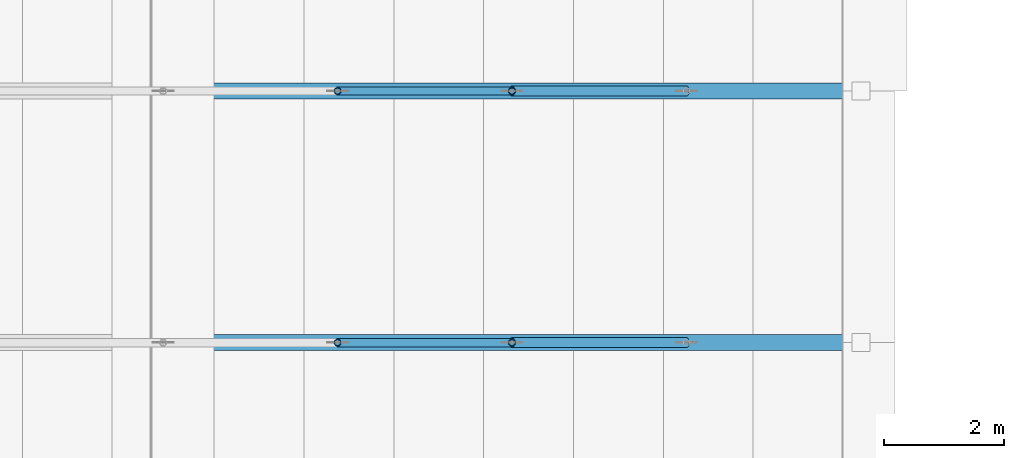
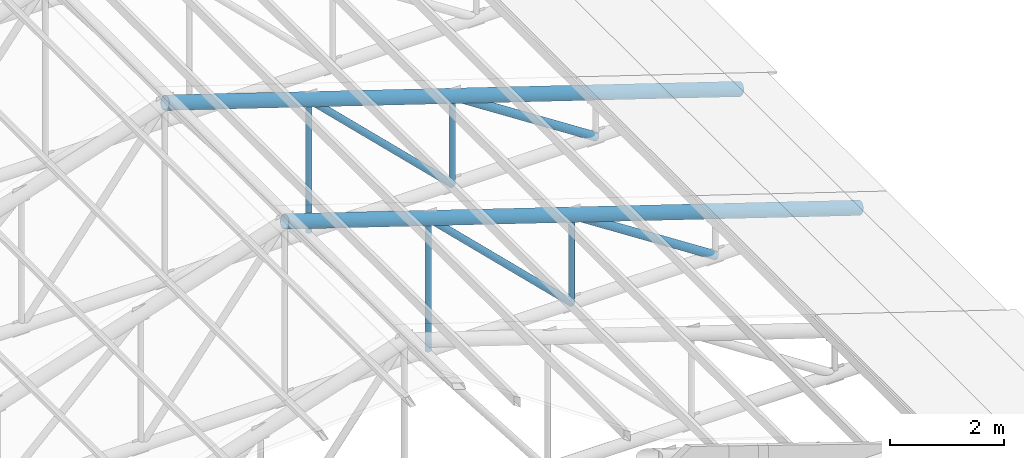
# One storey, part 29 of 95: 10 members.
"""IFC4 building model written with IfcOpenShell, lengths in metres."""

from ifc_helpers import new_model, si_unit, direction, frame, origin, origin_2d, place, context, subcontext, project, spatial, hollow_circle, extrude, material, material_profile, profile_set, type_object, element, save


model = new_model("IFC4")

# Units and contexts
model_context = context("Model", 3, precision=1e-05, world=origin(), true_north=direction((0.0, 1.0)))
body_context = subcontext(model_context, "Body", "Model", "MODEL_VIEW")
ifc_project = project(units=[si_unit("LENGTHUNIT", "METRE"), si_unit("AREAUNIT", "SQUARE_METRE"), si_unit("VOLUMEUNIT", "CUBIC_METRE"), si_unit("PLANEANGLEUNIT", "RADIAN"), si_unit("MASSUNIT", "GRAM", prefix="KILO")], contexts=[model_context])

# Site, building, storey
site_placement = place(None, origin())
site = spatial("IfcSite", under=ifc_project, at=site_placement, CompositionType="ELEMENT")
building_placement = place(site_placement, origin())
building = spatial("IfcBuilding", under=site, at=building_placement, Name="Kiln Court Media Centre", CompositionType="ELEMENT")
storey_placement = place(building_placement, frame((0.0, 0.0, 24.60009765625)))
storey = spatial("IfcBuildingStorey", under=building, at=storey_placement, Name="L05", CompositionType="ELEMENT", Elevation=24.60009765625)

# Members
ifc_material_1 = material(Name="Steel ASTM A500 Gr C", Category="steel")
ifc_material_profile_1 = material_profile(ifc_material_1, hollow_circle(Radius=0.05712890625, WallThickness=0.0048828125, at=origin_2d()), Name="CHS 114.3x5.0")
ifc_profile_set_1 = profile_set([ifc_material_profile_1], Name="Steel ASTM A500 Gr C")
member_type_1 = type_object("IfcMemberType", Name="Steel ASTM A500 Gr C CHS 114.3x5.0 truss web", PredefinedType="BRACE", material=ifc_profile_set_1)
member_1_placement = place(storey_placement, frame((49.3125, 33.60009765625, -0.013916015625), z_axis=(0.0, 0.0, 1.0), x_axis=(1.0, 0.0, 0.0)))
element("IfcMember", 1, at=member_1_placement, inside=storey, type_object=member_type_1, Name="foyer truss FT-03 post 5 truss web", PredefinedType="BRACE", context=body_context, shape_type="SweptSolid", body=[
    extrude(hollow_circle(Radius=0.05712890625, WallThickness=0.0048828125, at=origin_2d()), origin(), (0.0, 0.0, 1.0), 2.839111328125),
])
member_2_placement = place(storey_placement, frame((52.22509765625, 33.60009765625, -0.013916015625), z_axis=(0.0, 0.0, 1.0), x_axis=(1.0, 0.0, 0.0)))
element("IfcMember", 2, at=member_2_placement, inside=storey, type_object=member_type_1, Name="foyer truss FT-03 post 6 truss web", PredefinedType="BRACE", context=body_context, shape_type="SweptSolid", body=[
    extrude(hollow_circle(Radius=0.05712890625, WallThickness=0.0048828125, at=origin_2d()), origin(), (0.0, 0.0, 1.0), 1.892822265625),
])
member_3_placement = place(storey_placement, frame((49.3125, 37.800048828125, -0.013916015625), z_axis=(0.0, 0.0, 1.0), x_axis=(1.0, 0.0, 0.0)))
element("IfcMember", 3, at=member_3_placement, inside=storey, type_object=member_type_1, Name="foyer truss FT-04 post 5 truss web", PredefinedType="BRACE", context=body_context, shape_type="SweptSolid", body=[
    extrude(hollow_circle(Radius=0.05712890625, WallThickness=0.0048828125, at=origin_2d()), origin(), (0.0, 0.0, 1.0), 2.839111328125),
])
member_4_placement = place(storey_placement, frame((52.22509765625, 37.800048828125, -0.013916015625), z_axis=(0.0, 0.0, 1.0), x_axis=(1.0, 0.0, 0.0)))
element("IfcMember", 4, at=member_4_placement, inside=storey, type_object=member_type_1, Name="foyer truss FT-04 post 6 truss web", PredefinedType="BRACE", context=body_context, shape_type="SweptSolid", body=[
    extrude(hollow_circle(Radius=0.05712890625, WallThickness=0.0048828125, at=origin_2d()), origin(), (0.0, 0.0, 1.0), 1.892822265625),
])
ifc_material_2 = material(Name="Steel ASTM A500 Gr C", Category="steel")
ifc_material_profile_2 = material_profile(ifc_material_2, hollow_circle(Radius=0.06982421875, WallThickness=0.0048828125, at=origin_2d()), Name="CHS 139.7x5.0")
ifc_profile_set_2 = profile_set([ifc_material_profile_2], Name="Steel ASTM A500 Gr C")
member_type_2 = type_object("IfcMemberType", Name="Steel ASTM A500 Gr C CHS 139.7x5.0 truss web", PredefinedType="BRACE", material=ifc_profile_set_2)
for number, where, z_axis, x_axis, name in (
    (5, (49.3125, 33.60009765625, 2.8251953125), (0.716082640751, 0.0, -0.69801550958), (0.0, 1.0, 0.0), "foyer truss FT-03 diagonal 6 truss web"),
    (6, (49.3125, 37.800048828125, 2.8251953125), (0.716082640751, 0.0, -0.69801550958), (0.0, 1.0, 0.0), "foyer truss FT-04 diagonal 6 truss web"),
):
    element("IfcMember", number, at=place(storey_placement, frame(where, z_axis=z_axis, x_axis=x_axis)), inside=storey, type_object=member_type_2, Name=name, PredefinedType="BRACE", context=body_context, shape_type="SweptSolid", body=[
        extrude(hollow_circle(Radius=0.06982421875, WallThickness=0.0048828125, at=origin_2d()), origin(), (0.0, 0.0, 1.0), 4.0673828125),
    ])
ifc_material_3 = material(Name="Steel ASTM A500 Gr C", Category="steel")
ifc_material_profile_3 = material_profile(ifc_material_3, hollow_circle(Radius=0.084228515625, WallThickness=0.00634765625, at=origin_2d()), Name="CHS 168.3x6.3")
ifc_profile_set_3 = profile_set([ifc_material_profile_3], Name="Steel ASTM A500 Gr C")
member_type_3 = type_object("IfcMemberType", Name="Steel ASTM A500 Gr C CHS 168.3x6.3 truss web", PredefinedType="BRACE", material=ifc_profile_set_3)
for number, where, z_axis, x_axis, name in (
    (7, (52.22509765625, 33.60009765625, 1.87890625), (0.838470915332, 0.0, -0.544946349784), (0.0, 1.0, 0.0), "foyer truss FT-03 diagonal 7 truss web"),
    (8, (52.22509765625, 37.800048828125, 1.87890625), (0.838470915332, 0.0, -0.544946349784), (0.0, 1.0, 0.0), "foyer truss FT-04 diagonal 7 truss web"),
):
    element("IfcMember", number, at=place(storey_placement, frame(where, z_axis=z_axis, x_axis=x_axis)), inside=storey, type_object=member_type_3, Name=name, PredefinedType="BRACE", context=body_context, shape_type="SweptSolid", body=[
        extrude(hollow_circle(Radius=0.084228515625, WallThickness=0.00634765625, at=origin_2d()), origin(), (0.0, 0.0, 1.0), 3.473388671875),
    ])
ifc_material_4 = material(Name="Steel ASTM A500 Gr C", Category="steel")
ifc_material_profile_4 = material_profile(ifc_material_4, hollow_circle(Radius=0.136474609375, WallThickness=0.010009765625, at=origin_2d()), Name="CHS 273.0x10.0")
ifc_profile_set_4 = profile_set([ifc_material_profile_4], Name="Steel ASTM A500 Gr C")
member_type_4 = type_object("IfcMemberType", Name="Steel ASTM A500 Gr C CHS 273.0x10.0 truss chord", PredefinedType="CHORD", material=ifc_profile_set_4)
for number, where, z_axis, x_axis, name in (
    (9, (46.39990234375, 33.60009765625, 3.771484375), (0.951055596592, 0.0, -0.309019824916), (0.0, 1.0, 0.0), "foyer truss FT-03 east rafter truss chord"),
    (10, (46.39990234375, 37.800048828125, 3.771484375), (0.951055596592, 0.0, -0.309019824916), (0.0, 1.0, 0.0), "foyer truss FT-04 east rafter truss chord"),
):
    element("IfcMember", number, at=place(storey_placement, frame(where, z_axis=z_axis, x_axis=x_axis)), inside=storey, type_object=member_type_4, Name=name, PredefinedType="CHORD", context=body_context, shape_type="SweptSolid", body=[
        extrude(hollow_circle(Radius=0.136474609375, WallThickness=0.010009765625, at=origin_2d()), origin(), (0.0, 0.0, 1.0), 12.249755859375),
    ])

save(model, "model.ifc")
